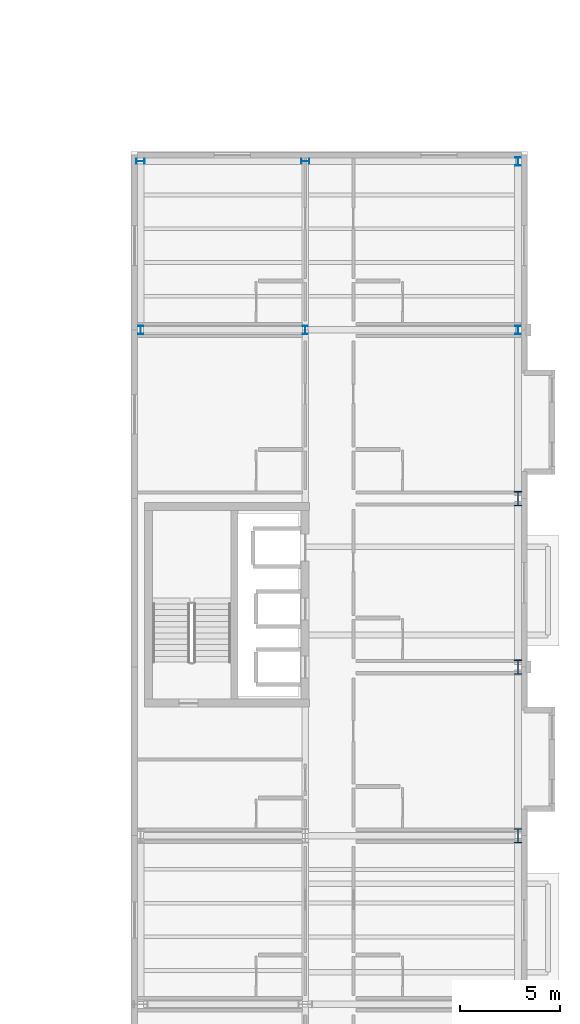
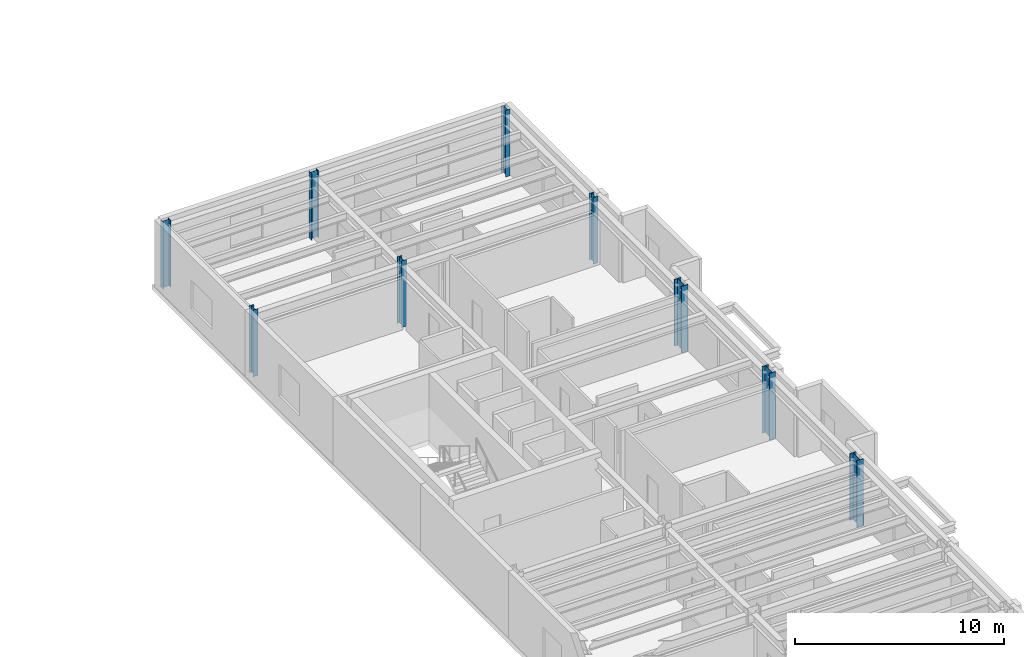
# One storey, part 9 of 46: 9 columns.
"""IFC4 building model written with IfcOpenShell, lengths in metres."""

from ifc_helpers import new_model, si_unit, direction, frame, origin, origin_2d, place, context, subcontext, project, spatial, i_section, extrude, material, material_profile, profile_set, type_object, element, save


model = new_model("IFC4")

# Units and contexts
model_context = context("Model", 3, precision=1e-05, world=origin(), true_north=direction((0.0, 1.0)))
body_context = subcontext(model_context, "Body", "Model", "MODEL_VIEW")
ifc_project = project(units=[si_unit("LENGTHUNIT", "METRE"), si_unit("AREAUNIT", "SQUARE_METRE"), si_unit("VOLUMEUNIT", "CUBIC_METRE"), si_unit("PLANEANGLEUNIT", "RADIAN"), si_unit("MASSUNIT", "GRAM", prefix="KILO")], contexts=[model_context])

# Site, building, storey
site_placement = place(None, origin())
site = spatial("IfcSite", under=ifc_project, at=site_placement, CompositionType="ELEMENT")
building_placement = place(site_placement, origin())
building = spatial("IfcBuilding", under=site, at=building_placement, Name="Sollismere Congress Hotel", CompositionType="ELEMENT")
storey_placement = place(building_placement, frame((0.0, 0.0, 19.5)))
storey = spatial("IfcBuildingStorey", under=building, at=storey_placement, Name="L04", CompositionType="ELEMENT", Elevation=19.5)

# Columns
ifc_material = material(Name="Steel ASTM A992 Grade 50", Category="steel")
ifc_material_profile_1 = material_profile(ifc_material, i_section(OverallWidth=0.261962890625, OverallDepth=0.4189453125, WebThickness=0.01171875, FlangeThickness=0.019287109375, at=origin_2d()), Name="W16X77")
ifc_profile_set_1 = profile_set([ifc_material_profile_1], Name="Steel ASTM A992 Grade 50")
column_type_1 = type_object("IfcColumnType", Name="COL-W16", PredefinedType="COLUMN", material=ifc_profile_set_1)
for number, where, z_axis, x_axis, name in (
    (1, (147.199951171875, 58.39990234375, 0.0), (0.0, 0.0, 1.0), (1.0, 0.0, 0.0), "Column CL-L04-837"),
    (2, (147.199951171875, 66.800048828125, 0.0), (0.0, 0.0, 1.0), (0.0, 1.0, 0.0), "Column CL-L04-846"),
    (3, (155.39990234375, 58.39990234375, 0.0), (0.0, 0.0, 1.0), (1.0, 0.0, 0.0), "Column CL-L04-925"),
    (4, (155.39990234375, 66.800048828125, 0.0), (0.0, 0.0, 1.0), (0.0, 1.0, 0.0), "Column CL-L04-934"),
    (5, (166.0, 58.39990234375, 0.0), (0.0, 0.0, 1.0), (1.0, 0.0, 0.0), "Column CL-L04-1039"),
    (6, (166.0, 66.800048828125, 0.0), (0.0, 0.0, 1.0), (1.0, 0.0, 0.0), "Column CL-L04-1048"),
):
    element("IfcColumn", number, at=place(storey_placement, frame(where, z_axis=z_axis, x_axis=x_axis)), inside=storey, type_object=column_type_1, Name=name, PredefinedType="COLUMN", context=body_context, shape_type="SweptSolid", body=[
        extrude(i_section(OverallWidth=0.261962890625, OverallDepth=0.4189453125, WebThickness=0.01171875, FlangeThickness=0.019287109375, at=origin_2d()), origin(), (0.0, 0.0, 1.0), 3.89990234375),
    ])
ifc_material_profile_2 = material_profile(ifc_material, i_section(OverallWidth=0.35595703125, OverallDepth=0.714111328125, WebThickness=0.01904296875, FlangeThickness=0.033935546875, at=origin_2d()), Name="W27X194")
ifc_profile_set_2 = profile_set([ifc_material_profile_2], Name="Steel ASTM A992 Grade 50")
column_type_2 = type_object("IfcColumnType", Name="COL-W27", PredefinedType="COLUMN", material=ifc_profile_set_2)
for number, where, z_axis, x_axis, name in (
    (7, (166.0, 33.199951171875, 0.0), (0.0, 0.0, 1.0), (1.0, 0.0, 0.0), "Column CL-L04-1000"),
    (8, (166.0, 41.60009765625, 0.0), (0.0, 0.0, 1.0), (1.0, 0.0, 0.0), "Column CL-L04-1013"),
    (9, (166.0, 50.0, 0.0), (0.0, 0.0, 1.0), (1.0, 0.0, 0.0), "Column CL-L04-1026"),
):
    element("IfcColumn", number, at=place(storey_placement, frame(where, z_axis=z_axis, x_axis=x_axis)), inside=storey, type_object=column_type_2, Name=name, PredefinedType="COLUMN", context=body_context, shape_type="SweptSolid", body=[
        extrude(i_section(OverallWidth=0.35595703125, OverallDepth=0.714111328125, WebThickness=0.01904296875, FlangeThickness=0.033935546875, at=origin_2d()), origin(), (0.0, 0.0, 1.0), 3.89990234375),
    ])

save(model, "model.ifc")
